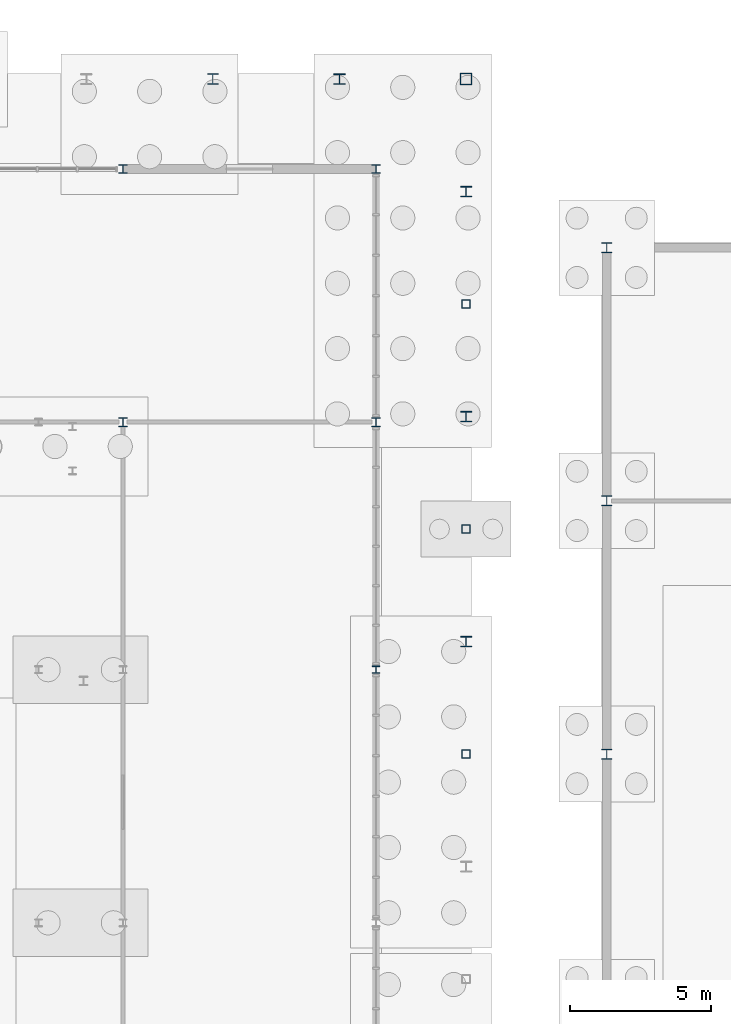
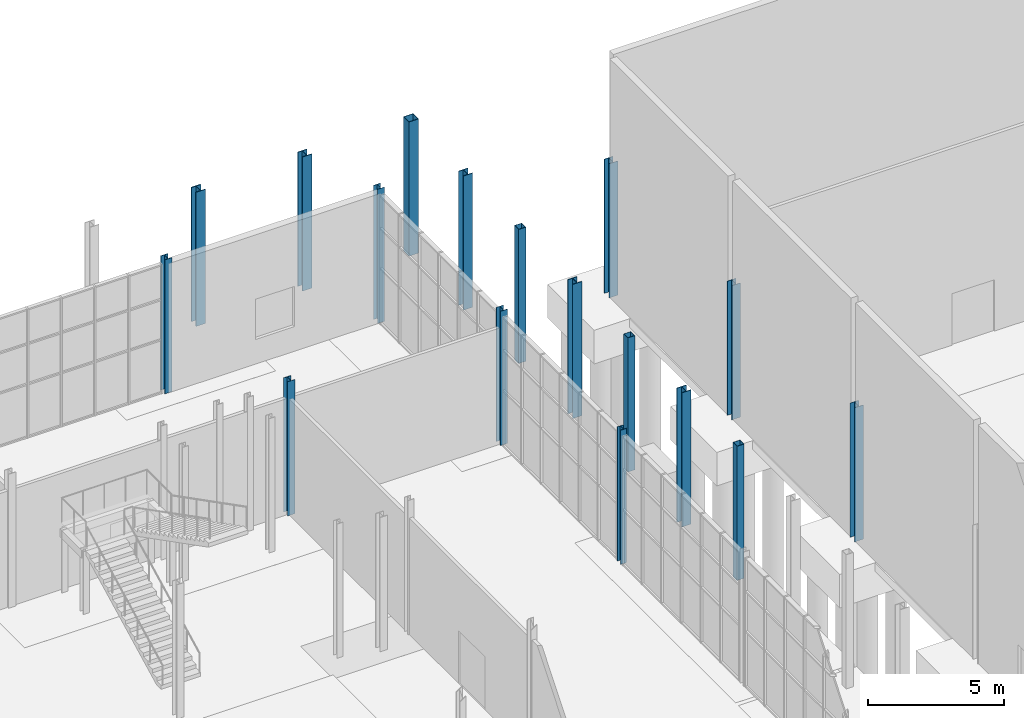
# One storey, part 34 of 131: 17 columns.
"""IFC4 building model written with IfcOpenShell, lengths in metres."""

from ifc_helpers import new_model, si_unit, direction, frame, origin, origin_2d, place, context, subcontext, project, spatial, hollow_rectangle, i_section, extrude, material, material_profile, profile_set, type_object, element, save


model = new_model("IFC4")

# Units and contexts
model_context = context("Model", 3, precision=1e-05, world=origin(), true_north=direction((0.0, 1.0)))
body_context = subcontext(model_context, "Body", "Model", "MODEL_VIEW")
ifc_project = project(units=[si_unit("LENGTHUNIT", "METRE"), si_unit("AREAUNIT", "SQUARE_METRE"), si_unit("VOLUMEUNIT", "CUBIC_METRE"), si_unit("PLANEANGLEUNIT", "RADIAN"), si_unit("MASSUNIT", "GRAM", prefix="KILO")], contexts=[model_context])

# Site, building, storey
site_placement = place(None, origin())
site = spatial("IfcSite", under=ifc_project, at=site_placement, CompositionType="ELEMENT")
building_placement = place(site_placement, origin())
building = spatial("IfcBuilding", under=site, at=building_placement, Name="Cazmaro Siding Exhibition Halls", CompositionType="ELEMENT")
storey_placement = place(building_placement, origin())
storey = spatial("IfcBuildingStorey", under=building, at=storey_placement, Name="L00", CompositionType="ELEMENT", Elevation=0.0)

# Columns
ifc_material_1 = material(Name="Steel ASTM A992 Grade 50", Category="steel")
ifc_material_profile_1 = material_profile(ifc_material_1, i_section(OverallWidth=0.39208984375, OverallDepth=0.3759765625, WebThickness=0.01708984375, FlangeThickness=0.028076171875, at=origin_2d()), Name="W14X145")
ifc_profile_set_1 = profile_set([ifc_material_profile_1], Name="Steel ASTM A992 Grade 50")
column_type_1 = type_object("IfcColumnType", Name="C-03", PredefinedType="COLUMN", material=ifc_profile_set_1)
for number, where, z_axis, x_axis, name in (
    (1, (166.5, 124.0, 0.0), (0.0, 0.0, 1.0), (1.0, 0.0, 0.0), "Column C-03 COL-0166"),
    (2, (171.0, 104.0, 0.0), (0.0, 0.0, 1.0), (1.0, 0.0, 0.0), "Column C-03 COL-0244"),
    (3, (171.0, 112.0, 0.0), (0.0, 0.0, 1.0), (1.0, 0.0, 0.0), "Column C-03 COL-0250"),
    (4, (171.0, 120.0, 0.0), (0.0, 0.0, 1.0), (1.0, 0.0, 0.0), "Column C-03 COL-0256"),
):
    element("IfcColumn", number, at=place(storey_placement, frame(where, z_axis=z_axis, x_axis=x_axis)), inside=storey, type_object=column_type_1, Name=name, PredefinedType="COLUMN", context=body_context, shape_type="SweptSolid", body=[
        extrude(i_section(OverallWidth=0.39208984375, OverallDepth=0.3759765625, WebThickness=0.01708984375, FlangeThickness=0.028076171875, at=origin_2d()), origin(), (0.0, 0.0, 1.0), 6.0),
    ])
ifc_material_2 = material(Name="Steel ASTM A992 Grade 50", Category="steel")
ifc_material_profile_2 = material_profile(ifc_material_2, i_section(OverallWidth=0.367919921875, OverallDepth=0.35595703125, WebThickness=0.010986328125, FlangeThickness=0.01806640625, at=origin_2d()), Name="W14X90")
ifc_profile_set_2 = profile_set([ifc_material_profile_2], Name="Steel ASTM A992 Grade 50")
column_type_2 = type_object("IfcColumnType", Name="C-05", PredefinedType="COLUMN", material=ifc_profile_set_2)
for number, where, z_axis, x_axis, name in (
    (5, (176.0, 100.0, 0.0), (0.0, 0.0, 1.0), (1.0, 0.0, 0.0), "Column C-05 COL-0685"),
    (6, (176.0, 109.0, 0.0), (0.0, 0.0, 1.0), (1.0, 0.0, 0.0), "Column C-05 COL-0687"),
    (7, (176.0, 118.0, 0.0), (0.0, 0.0, 1.0), (1.0, 0.0, 0.0), "Column C-05 COL-0689"),
):
    element("IfcColumn", number, at=place(storey_placement, frame(where, z_axis=z_axis, x_axis=x_axis)), inside=storey, type_object=column_type_2, Name=name, PredefinedType="COLUMN", context=body_context, shape_type="SweptSolid", body=[
        extrude(i_section(OverallWidth=0.367919921875, OverallDepth=0.35595703125, WebThickness=0.010986328125, FlangeThickness=0.01806640625, at=origin_2d()), origin(), (0.0, 0.0, 1.0), 6.0),
    ])
ifc_material_3 = material(Name="Steel ASTM A992 Grade 50", Category="steel")
ifc_material_profile_3 = material_profile(ifc_material_3, i_section(OverallWidth=0.304931640625, OverallDepth=0.306884765625, WebThickness=0.010009765625, FlangeThickness=0.014892578125, at=origin_2d()), Name="W12X65")
ifc_profile_set_3 = profile_set([ifc_material_profile_3], Name="Steel ASTM A992 Grade 50")
column_type_3 = type_object("IfcColumnType", Name="C-06", PredefinedType="COLUMN", material=ifc_profile_set_3)
for number, where, z_axis, x_axis, name in (
    (8, (158.800048828125, 111.800048828125, 0.0), (0.0, 0.0, 1.0), (1.0, 0.0, 0.0), "Column C-06 COL-0378"),
    (9, (158.800048828125, 120.800048828125, 0.0), (0.0, 0.0, 1.0), (1.0, 0.0, 0.0), "Column C-06 COL-0380"),
    (10, (167.800048828125, 111.800048828125, 0.0), (0.0, 0.0, 1.0), (1.0, 0.0, 0.0), "Column C-06 COL-0386"),
    (11, (167.800048828125, 120.800048828125, 0.0), (0.0, 0.0, 1.0), (1.0, 0.0, 0.0), "Column C-06 COL-0388"),
):
    element("IfcColumn", number, at=place(storey_placement, frame(where, z_axis=z_axis, x_axis=x_axis)), inside=storey, type_object=column_type_3, Name=name, PredefinedType="COLUMN", context=body_context, shape_type="SweptSolid", body=[
        extrude(i_section(OverallWidth=0.304931640625, OverallDepth=0.306884765625, WebThickness=0.010009765625, FlangeThickness=0.014892578125, at=origin_2d()), origin(), (0.0, 0.0, 1.0), 6.0),
    ])
ifc_material_4 = material(Name="Steel ASTM A992 Grade 50", Category="steel")
ifc_material_profile_4 = material_profile(ifc_material_4, i_section(OverallWidth=0.39892578125, OverallDepth=0.386962890625, WebThickness=0.02099609375, FlangeThickness=0.032958984375, at=origin_2d()), Name="W14X176")
ifc_profile_set_4 = profile_set([ifc_material_profile_4], Name="Steel ASTM A992 Grade 50")
column_type_4 = type_object("IfcColumnType", Name="C-11", PredefinedType="COLUMN", material=ifc_profile_set_4)
column_1_placement = place(storey_placement, frame((162.0, 124.0, 0.0), z_axis=(0.0, 0.0, 1.0), x_axis=(1.0, 0.0, 0.0)))
element("IfcColumn", 12, at=column_1_placement, inside=storey, type_object=column_type_4, Name="Column C-11 COL-0160", PredefinedType="COLUMN", context=body_context, shape_type="SweptSolid", body=[
    extrude(i_section(OverallWidth=0.39892578125, OverallDepth=0.386962890625, WebThickness=0.02099609375, FlangeThickness=0.032958984375, at=origin_2d()), origin(), (0.0, 0.0, 1.0), 6.0),
])
ifc_material_5 = material(Name="Steel ASTM A992 Grade 50", Category="steel")
ifc_material_profile_5 = material_profile(ifc_material_5, i_section(OverallWidth=0.257080078125, OverallDepth=0.263916015625, WebThickness=0.011962890625, FlangeThickness=0.02001953125, at=origin_2d()), Name="W10X68")
ifc_profile_set_5 = profile_set([ifc_material_profile_5], Name="Steel ASTM A992 Grade 50")
column_type_5 = type_object("IfcColumnType", Name="C-14", PredefinedType="COLUMN", material=ifc_profile_set_5)
column_2_placement = place(storey_placement, frame((167.800048828125, 103.0, 0.0), z_axis=(0.0, 0.0, 1.0), x_axis=(1.0, 0.0, 0.0)))
element("IfcColumn", 13, at=column_2_placement, inside=storey, type_object=column_type_5, Name="Column C-14 COL-0446", PredefinedType="COLUMN", context=body_context, shape_type="SweptSolid", body=[
    extrude(i_section(OverallWidth=0.257080078125, OverallDepth=0.263916015625, WebThickness=0.011962890625, FlangeThickness=0.02001953125, at=origin_2d()), origin(), (0.0, 0.0, 1.0), 6.0),
])
ifc_material_6 = material(Name="Steel ASTM A500 Grade C", Category="steel")
ifc_material_profile_6 = material_profile(ifc_material_6, hollow_rectangle(XDim=0.406005859375, YDim=0.406005859375, WallThickness=0.014892578125, at=origin_2d()), Name="HSS16X16X5/8")
ifc_profile_set_6 = profile_set([ifc_material_profile_6], Name="Steel ASTM A500 Grade C")
column_type_6 = type_object("IfcColumnType", Name="PL-01", PredefinedType="PILASTER", material=ifc_profile_set_6)
column_3_placement = place(storey_placement, frame((171.0, 124.0, 0.0), z_axis=(0.0, 0.0, 1.0), x_axis=(1.0, 0.0, 0.0)))
element("IfcColumn", 14, at=column_3_placement, inside=storey, type_object=column_type_6, Name="Column PL-01 COL-0172", PredefinedType="PILASTER", context=body_context, shape_type="SweptSolid", body=[
    extrude(hollow_rectangle(XDim=0.406005859375, YDim=0.406005859375, WallThickness=0.014892578125, at=origin_2d()), origin(), (0.0, 0.0, 1.0), 6.0),
])
ifc_material_7 = material(Name="Steel ASTM A500 Grade C", Category="steel")
ifc_material_profile_7 = material_profile(ifc_material_7, hollow_rectangle(XDim=0.304931640625, YDim=0.304931640625, WallThickness=0.014892578125, at=origin_2d()), Name="HSS12X12X5/8")
ifc_profile_set_7 = profile_set([ifc_material_profile_7], Name="Steel ASTM A500 Grade C")
column_type_7 = type_object("IfcColumnType", Name="PL-02", PredefinedType="PILASTER", material=ifc_profile_set_7)
for number, where, z_axis, x_axis, name in (
    (15, (171.0, 100.0, 0.0), (0.0, 0.0, 1.0), (1.0, 0.0, 0.0), "Column PL-02 COL-0241"),
    (16, (171.0, 108.0, 0.0), (0.0, 0.0, 1.0), (1.0, 0.0, 0.0), "Column PL-02 COL-0247"),
    (17, (171.0, 116.0, 0.0), (0.0, 0.0, 1.0), (1.0, 0.0, 0.0), "Column PL-02 COL-0253"),
):
    element("IfcColumn", number, at=place(storey_placement, frame(where, z_axis=z_axis, x_axis=x_axis)), inside=storey, type_object=column_type_7, Name=name, PredefinedType="PILASTER", context=body_context, shape_type="SweptSolid", body=[
        extrude(hollow_rectangle(XDim=0.304931640625, YDim=0.304931640625, WallThickness=0.014892578125, at=origin_2d()), origin(), (0.0, 0.0, 1.0), 6.0),
    ])

save(model, "model.ifc")
